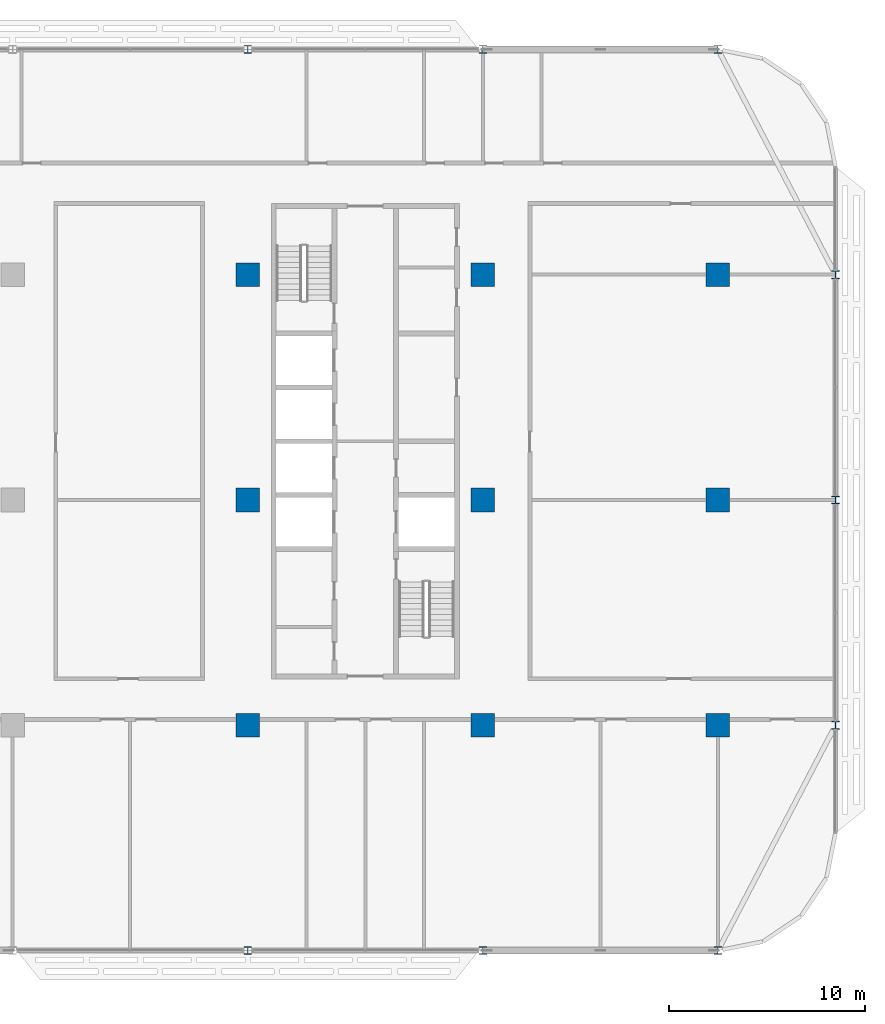
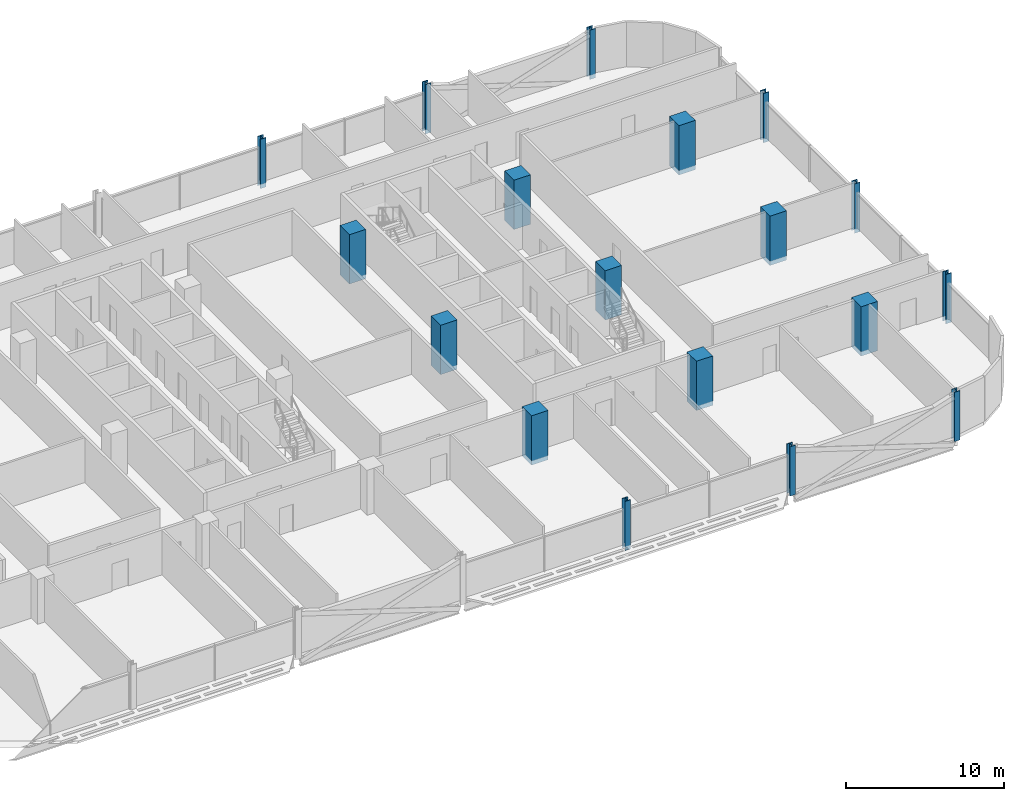
# One storey, part 2 of 27: 18 columns.
"""IFC4 building model written with IfcOpenShell, lengths in metres."""

from ifc_helpers import new_model, si_unit, direction, frame, origin, origin_2d, place, context, subcontext, project, spatial, rectangle, i_section, extrude, material, material_profile, profile_set, type_object, element, save


model = new_model("IFC4")

# Units and contexts
model_context = context("Model", 3, precision=1e-05, world=origin(), true_north=direction((0.0, 1.0)))
body_context = subcontext(model_context, "Body", "Model", "MODEL_VIEW")
ifc_project = project(units=[si_unit("LENGTHUNIT", "METRE"), si_unit("AREAUNIT", "SQUARE_METRE"), si_unit("VOLUMEUNIT", "CUBIC_METRE"), si_unit("PLANEANGLEUNIT", "RADIAN"), si_unit("MASSUNIT", "GRAM", prefix="KILO")], contexts=[model_context])

# Site, building, storey
site_placement = place(None, origin())
site = spatial("IfcSite", under=ifc_project, at=site_placement, CompositionType="ELEMENT")
building_placement = place(site_placement, origin())
building = spatial("IfcBuilding", under=site, at=building_placement, Name="Mahtab Terrace Research Tower", CompositionType="ELEMENT")
storey_placement = place(building_placement, frame((0.0, 0.0, 178.199951171875)))
storey = spatial("IfcBuildingStorey", under=building, at=storey_placement, Name="L42", CompositionType="ELEMENT", Elevation=178.199951171875)

# Columns
ifc_material_1 = material(Name="Concrete C70/85", Category="concrete")
ifc_material_profile_1 = material_profile(ifc_material_1, rectangle(XDim=1.199951171875, YDim=1.199951171875, at=origin_2d()), Name="RC column 1200x1200")
ifc_profile_set_1 = profile_set([ifc_material_profile_1], Name="Concrete C70/85")
column_type_1 = type_object("IfcColumnType", Name="RC column 1200x1200", PredefinedType="COLUMN", material=ifc_profile_set_1)
for number, where, z_axis, x_axis, name in (
    (1, (18.0, -11.5, -0.33984375), (0.0, 0.0, 1.0), (1.0, 0.0, 0.0), "Column RC-6A L42"),
    (2, (18.0, 0.0, -0.33984375), (0.0, 0.0, 1.0), (1.0, 0.0, 0.0), "Column RC-6B L42"),
    (3, (18.0, 11.5, -0.33984375), (0.0, 0.0, 1.0), (1.0, 0.0, 0.0), "Column RC-6C L42"),
    (4, (30.0, -11.5, -0.33984375), (0.0, 0.0, 1.0), (1.0, 0.0, 0.0), "Column RC-7A L42"),
    (5, (30.0, 0.0, -0.33984375), (0.0, 0.0, 1.0), (1.0, 0.0, 0.0), "Column RC-7B L42"),
    (6, (30.0, 11.5, -0.33984375), (0.0, 0.0, 1.0), (1.0, 0.0, 0.0), "Column RC-7C L42"),
    (7, (42.0, -11.5, -0.33984375), (0.0, 0.0, 1.0), (1.0, 0.0, 0.0), "Column RC-8A L42"),
    (8, (42.0, 0.0, -0.33984375), (0.0, 0.0, 1.0), (1.0, 0.0, 0.0), "Column RC-8B L42"),
    (9, (42.0, 11.5, -0.33984375), (0.0, 0.0, 1.0), (1.0, 0.0, 0.0), "Column RC-8C L42"),
):
    element("IfcColumn", number, at=place(storey_placement, frame(where, z_axis=z_axis, x_axis=x_axis)), inside=storey, type_object=column_type_1, Name=name, PredefinedType="COLUMN", context=body_context, shape_type="SweptSolid", body=[
        extrude(rectangle(XDim=1.199951171875, YDim=1.199951171875, at=origin_2d()), origin(), (0.0, 0.0, 1.0), 3.7998046875),
    ])
ifc_material_2 = material(Name="Steel ASTM A992 Gr 50", Category="steel")
ifc_material_profile_2 = material_profile(ifc_material_2, i_section(OverallWidth=0.406494140625, OverallDepth=0.41650390625, WebThickness=0.030029296875, FlangeThickness=0.048095703125, at=origin_2d()), Name="W14X257")
ifc_profile_set_2 = profile_set([ifc_material_profile_2], Name="Steel ASTM A992 Gr 50")
column_type_2 = type_object("IfcColumnType", Name="W14x257 column CS14257", PredefinedType="COLUMN", material=ifc_profile_set_2)
for number, where, z_axis, x_axis, name in (
    (10, (42.0, 23.0, -0.33984375), (0.0, 0.0, 1.0), (1.0, 0.0, 0.0), "Column SC-001 L42"),
    (11, (30.0, 23.0, -0.33984375), (0.0, 0.0, 1.0), (1.0, 0.0, 0.0), "Column SC-002 L42"),
    (12, (18.0, 23.0, -0.33984375), (0.0, 0.0, 1.0), (1.0, 0.0, 0.0), "Column SC-003 L42"),
    (13, (18.0, -23.0, -0.33984375), (0.0, 0.0, 1.0), (1.0, 0.0, 0.0), "Column SC-017 L42"),
    (14, (30.0, -23.0, -0.33984375), (0.0, 0.0, 1.0), (1.0, 0.0, 0.0), "Column SC-018 L42"),
    (15, (42.0, -23.0, -0.33984375), (0.0, 0.0, 1.0), (1.0, 0.0, 0.0), "Column SC-019 L42"),
    (16, (48.0, -11.5, -0.33984375), (0.0, 0.0, 1.0), (1.0, 0.0, 0.0), "Column SC-020 L42"),
    (17, (48.0, 0.0, -0.33984375), (0.0, 0.0, 1.0), (1.0, 0.0, 0.0), "Column SC-021 L42"),
    (18, (48.0, 11.5, -0.33984375), (0.0, 0.0, 1.0), (1.0, 0.0, 0.0), "Column SC-022 L42"),
):
    element("IfcColumn", number, at=place(storey_placement, frame(where, z_axis=z_axis, x_axis=x_axis)), inside=storey, type_object=column_type_2, Name=name, PredefinedType="COLUMN", context=body_context, shape_type="SweptSolid", body=[
        extrude(i_section(OverallWidth=0.406494140625, OverallDepth=0.41650390625, WebThickness=0.030029296875, FlangeThickness=0.048095703125, at=origin_2d()), origin(), (0.0, 0.0, 1.0), 3.7998046875),
    ])

save(model, "model.ifc")
